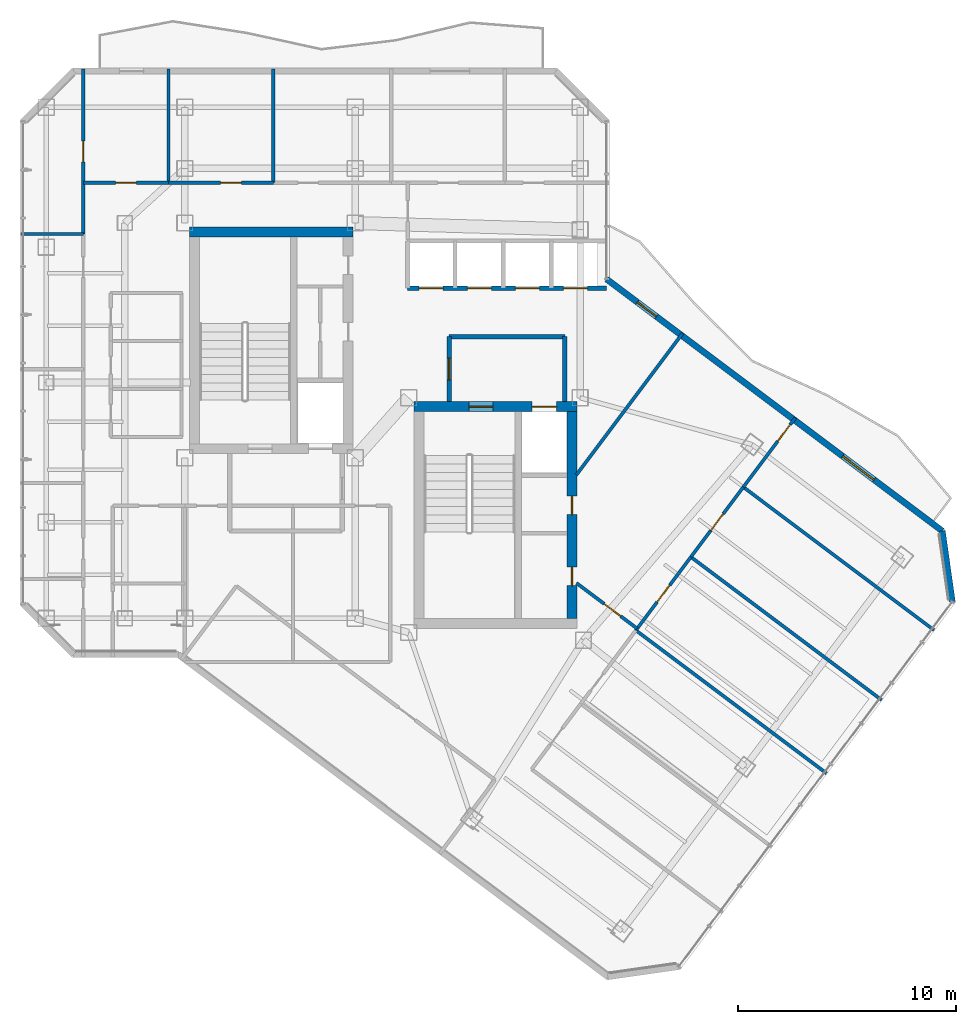
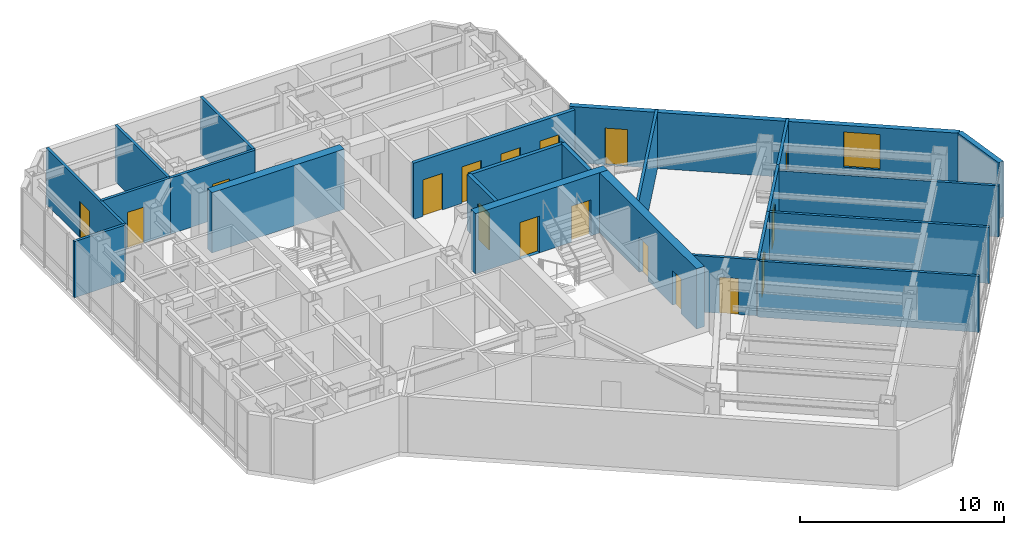
# One storey, part 21 of 26: 23 walls, 17 doors, 1 window, 18 openings.
"""IFC4 building model written with IfcOpenShell, lengths in metres."""

import ifcopenshell
import ifcopenshell.guid

model = None  # the IFC model being written
_history = None  # IfcOwnerHistory: only IFC2X3 demands one
_inside = {}  # id of a spatial element -> (the spatial element, [elements in it])
_under = {}  # id of a project, library or spatial element -> (it, [spatial elements below it])
_declared = {}  # id of a project -> (the project, [libraries it declares])
_typed = {}  # id of a type object -> (the type object, [elements of that type])
_made_of = {}  # id of a material, layer set ... -> (it, [elements and type objects made of it])


def new_model(schema):
    """Start an empty IFC model of exactly this schema.

    Asked for "IFC4X3", IfcOpenShell would pick the latest addendum, in which some entities
    have other attributes; the version numbers below select the first issue.
    IFC2X3 requires an IfcOwnerHistory on every rooted entity: one is made here for all.
    """
    global model, _history
    if schema == "IFC4X3":
        model = ifcopenshell.file(schema_version=(4, 3, 0, 0))
    else:
        model = ifcopenshell.file(schema=schema)
    _inside.clear()
    _under.clear()
    _declared.clear()
    _typed.clear()
    _made_of.clear()
    _history = None
    if model.schema == "IFC2X3":
        org = make("IfcOrganization", Name="unknown")
        user = make(
            "IfcPersonAndOrganization",
            ThePerson=make("IfcPerson", FamilyName="unknown"),
            TheOrganization=org,
        )
        app = make(
            "IfcApplication",
            ApplicationDeveloper=org,
            Version="unknown",
            ApplicationFullName="unknown",
            ApplicationIdentifier="unknown",
        )
        _history = make(
            "IfcOwnerHistory",
            OwningUser=user,
            OwningApplication=app,
            ChangeAction="ADDED",
            CreationDate=0,
        )
    return model


def make(cls, **values):
    """One entity of the class cls with the attributes given. An attribute that is None is left unset."""
    return model.create_entity(
        cls, **{name: value for name, value in values.items() if value is not None}
    )


def rooted(cls, **values):
    """An entity with a GlobalId (a new one), such as an element, a storey or a relation."""
    return make(cls, GlobalId=ifcopenshell.guid.new(), OwnerHistory=_history, **values)


def si_unit(unit_type, name, prefix=None):
    """IfcSIUnit, for example si_unit("LENGTHUNIT", "METRE", prefix="MILLI")."""
    return make("IfcSIUnit", UnitType=unit_type, Prefix=prefix, Name=name)


def assignment(units):
    """IfcUnitAssignment: the units of a project."""
    return None if units is None else make("IfcUnitAssignment", Units=units)


def point(xyz):
    """IfcCartesianPoint."""
    return None if xyz is None else make("IfcCartesianPoint", Coordinates=xyz)


def direction(xyz):
    """IfcDirection."""
    return None if xyz is None else make("IfcDirection", DirectionRatios=xyz)


def frame(location, z_axis=None, x_axis=None):
    """IfcAxis2Placement3D, a coordinate frame: its origin and axes. An axis left out is left unset."""
    return make(
        "IfcAxis2Placement3D",
        Location=point(location),
        Axis=direction(z_axis),
        RefDirection=direction(x_axis),
    )


def frame_2d(location, x_axis=None):
    """IfcAxis2Placement2D, a coordinate frame in the plane: its origin and x axis."""
    return make(
        "IfcAxis2Placement2D", Location=point(location), RefDirection=direction(x_axis)
    )


def origin():
    """The frame at (0, 0, 0) with its axes left unset."""
    return frame((0.0, 0.0, 0.0))


def place(relative_to, where):
    """IfcLocalPlacement: puts the frame where relative to a parent placement (None: the world)."""
    return make(
        "IfcLocalPlacement", PlacementRelTo=relative_to, RelativePlacement=where
    )


def context(
    kind, dimensions, precision=None, world=None, true_north=None, identifier=None
):
    """IfcGeometricRepresentationContext, for example the 3D "Model" context."""
    return make(
        "IfcGeometricRepresentationContext",
        ContextIdentifier=identifier,
        ContextType=kind,
        CoordinateSpaceDimension=dimensions,
        Precision=precision,
        WorldCoordinateSystem=world,
        TrueNorth=true_north,
    )


def subcontext(parent, identifier, kind, view, scale=None):
    """IfcGeometricRepresentationSubContext, for example "Body" below "Model"."""
    return make(
        "IfcGeometricRepresentationSubContext",
        ContextIdentifier=identifier,
        ContextType=kind,
        ParentContext=parent,
        TargetScale=scale,
        TargetView=view,
    )


def project(units=None, contexts=None):
    """IfcProject with its units and contexts."""
    return rooted(
        "IfcProject",
        Name="project",
        RepresentationContexts=contexts,
        UnitsInContext=assignment(units),
    )


def spatial(cls, under=None, at=None, **own):
    """A site, building, storey or space (cls), placed at a placement, below another one or the project."""
    s = rooted(cls, ObjectPlacement=at, **own)
    if under is not None:
        _under.setdefault(under.id(), (under, []))[1].append(s)
    return s


def profile(cls, at=None, kind="AREA", **sizes):
    """A parametric profile (cls). Its sizes go by their IFC names, for example OverallWidth=200.0."""
    return make(cls, ProfileType=kind, Position=at, **sizes)


def rectangle(**sizes):
    """IfcRectangleProfileDef."""
    return profile("IfcRectangleProfileDef", **sizes)


def extrude(swept, where, along, depth):
    """IfcExtrudedAreaSolid: the profile swept, set in the frame where, extruded along a direction by depth."""
    return make(
        "IfcExtrudedAreaSolid",
        SweptArea=swept,
        Position=where,
        ExtrudedDirection=direction(along),
        Depth=depth,
    )


def shape(context_of_items, identifier, shape_type, items):
    """IfcShapeRepresentation: the items that make up one representation, for example the "Body"."""
    return make(
        "IfcShapeRepresentation",
        ContextOfItems=context_of_items,
        RepresentationIdentifier=identifier,
        RepresentationType=shape_type,
        Items=items,
    )


def material(Name=None, Category=None):
    """IfcMaterial."""
    return make("IfcMaterial", Name=Name, Category=Category)


def layer(
    of_material, thickness, ventilated=None, Name=None, Category=None, Priority=None
):
    """IfcMaterialLayer: one layer of a wall or slab, of a material (None: an air gap)."""
    return make(
        "IfcMaterialLayer",
        Material=of_material,
        LayerThickness=thickness,
        IsVentilated=ventilated,
        Name=Name,
        Category=Category,
        Priority=Priority,
    )


def layer_set(layers, Name=None):
    """IfcMaterialLayerSet."""
    return make("IfcMaterialLayerSet", MaterialLayers=layers, LayerSetName=Name)


def made_of(thing, what):
    """Note that an element or type object is made of a material, layer set ...; save() writes the relation."""
    if what is not None:
        _made_of.setdefault(what.id(), (what, []))[1].append(thing)
    return thing


def type_object(cls, material=None, **own):
    """A type object (cls), such as IfcWallType, which elements share."""
    return made_of(rooted(cls, **own), material)


def element(
    cls,
    number,
    at=None,
    inside=None,
    cuts=None,
    type_object=None,
    material=None,
    context=None,
    identifier="Body",
    shape_type=None,
    held_by="IfcProductDefinitionShape",
    body=None,
    shapes=None,
    **own,
):
    """One element of the class cls, such as IfcWall. Its Tag is "e" and its number.

    at: its placement. inside: the storey or other place that contains it. cuts: it is an
    opening in that element (IfcRelVoidsElement). A single representation is given by context,
    identifier, shape_type and body (its items); several are given by shapes. held_by: the class
    of the entity that holds the representations. save() writes the other relations.
    """
    e = rooted(cls, Tag="e%d" % number, ObjectPlacement=at, **own)
    if body is not None:
        shapes = [shape(context, identifier, shape_type, body)]
    if shapes is not None:
        e.Representation = make(held_by, Representations=shapes)
    if inside is not None:
        _inside.setdefault(inside.id(), (inside, []))[1].append(e)
    if cuts is not None:
        rooted(
            "IfcRelVoidsElement", RelatingBuildingElement=cuts, RelatedOpeningElement=e
        )
    if type_object is not None:
        _typed.setdefault(type_object.id(), (type_object, []))[1].append(e)
    return made_of(e, material)


def fill(opening, filler):
    """IfcRelFillsElement: the door or window that sits in an opening."""
    return rooted(
        "IfcRelFillsElement",
        RelatingOpeningElement=opening,
        RelatedBuildingElement=filler,
    )


def aggregate(whole, parts):
    """IfcRelAggregates: a whole, such as a stair, and the parts it consists of."""
    return rooted("IfcRelAggregates", RelatingObject=whole, RelatedObjects=parts)


def save(model, path):
    """Write the relations noted so far, then the file.

    IfcRelAggregates (storeys below a building ...), IfcRelContainedInSpatialStructure (elements
    in a storey), IfcRelDefinesByType, IfcRelAssociatesMaterial and IfcRelDeclares: one each for
    every whole, place, type object, material and project.
    """
    for whole, parts in _under.values():
        aggregate(whole, parts)
    for where, things in _inside.values():
        rooted(
            "IfcRelContainedInSpatialStructure",
            RelatedElements=things,
            RelatingStructure=where,
        )
    for kind, things in _typed.values():
        rooted("IfcRelDefinesByType", RelatedObjects=things, RelatingType=kind)
    for what, things in _made_of.values():
        rooted("IfcRelAssociatesMaterial", RelatedObjects=things, RelatingMaterial=what)
    for by, libraries in _declared.values():
        rooted("IfcRelDeclares", RelatingContext=by, RelatedDefinitions=libraries)
    model.write(path)


model = new_model("IFC4")

# Units and contexts
model_context = context("Model", 3, precision=1e-05, world=origin(), true_north=direction((0.0, 1.0)))
body_context = subcontext(model_context, "Body", "Model", "MODEL_VIEW")
ifc_project = project(units=[si_unit("LENGTHUNIT", "METRE"), si_unit("AREAUNIT", "SQUARE_METRE"), si_unit("VOLUMEUNIT", "CUBIC_METRE"), si_unit("PLANEANGLEUNIT", "RADIAN"), si_unit("MASSUNIT", "GRAM", prefix="KILO")], contexts=[model_context])

# Site, building, storey
site_placement = place(None, origin())
site = spatial("IfcSite", under=ifc_project, at=site_placement, CompositionType="ELEMENT")
building_placement = place(site_placement, origin())
building = spatial("IfcBuilding", under=site, at=building_placement, Name="Hatsunagi Terrace Concourse", CompositionType="ELEMENT")
storey_placement = place(building_placement, frame((0.0, 0.0, 209.550048828125)))
storey = spatial("IfcBuildingStorey", under=building, at=storey_placement, Name="L55", CompositionType="ELEMENT", Elevation=209.550048828125)

# Wall
ifc_material_1 = material(Name="Concrete Fc42", Category="concrete")
ifc_layer_1 = layer(ifc_material_1, 0.449951171875)
ifc_layer_set_1 = layer_set([ifc_layer_1], Name="CoreShearWall_Fc42_450")
wall_type_1 = type_object("IfcWallType", Name="CoreShearWall_Fc42_450", PredefinedType="SHEAR", material=ifc_layer_set_1)
wall_1_placement = place(storey_placement, frame((25.77001953125, 42.89501953125, 0.0), z_axis=(0.0, 0.0, 1.0), x_axis=(1.0, 0.0, 0.0)))
element("IfcWall", 1, at=wall_1_placement, inside=storey, type_object=wall_type_1, Name="Core A Shear Wall N L55", PredefinedType="SHEAR", context=body_context, shape_type="SweptSolid", body=[
    extrude(rectangle(XDim=7.47998046875, YDim=0.449951171875, at=frame_2d((3.739990234375, 0.0))), origin(), (0.0, 0.0, 1.0), 3.599853515625),
])

# Wall, openings, doors
wall_2_placement = place(storey_placement, frame((36.0400390625, 34.89501953125, 0.0), z_axis=(0.0, 0.0, 1.0), x_axis=(1.0, 0.0, 0.0)))
wall_2 = element("IfcWall", 2, at=wall_2_placement, inside=storey, type_object=wall_type_1, Name="Core B Shear Wall N L55", PredefinedType="SHEAR", context=body_context, shape_type="SweptSolid", body=[
    extrude(rectangle(XDim=7.4599609375, YDim=0.449951171875, at=frame_2d((3.72998046875, 0.0))), origin(), (0.0, 0.0, 1.0), 3.599853515625),
])
opening_1_placement = place(wall_2_placement, frame((2.510009765625, 0.0, 0.0)))
opening_1 = element("IfcOpeningElement", 3, at=opening_1_placement, cuts=wall_2, Name="Opening DR-110S", PredefinedType="OPENING", context=body_context, shape_type="SweptSolid", body=[
    extrude(rectangle(XDim=1.10009765625, YDim=2.199951171875, at=frame_2d((0.550048828125, 1.10009765625))), frame((0.0, 0.23486328125, 0.0), z_axis=(0.0, -1.0, 0.0), x_axis=(1.0, 0.0, 0.0)), (0.0, 0.0, 1.0), 0.469970703125),
])
opening_2_placement = place(wall_2_placement, frame((5.409912109375, 0.0, 0.0)))
opening_2 = element("IfcOpeningElement", 4, at=opening_2_placement, cuts=wall_2, Name="Opening LD-02", PredefinedType="OPENING", context=body_context, shape_type="SweptSolid", body=[
    extrude(rectangle(XDim=1.1201171875, YDim=2.14990234375, at=frame_2d((0.56005859375, 1.074951171875))), frame((0.0, 0.23486328125, 0.0), z_axis=(0.0, -1.0, 0.0), x_axis=(1.0, 0.0, 0.0)), (0.0, 0.0, 1.0), 0.469970703125),
])
ifc_material_2 = material(Name="Stainless steel", Category="steel")
door_type_1 = type_object("IfcDoorType", Name="LiftLandingDoor_LD02", OperationType="SLIDING_TO_RIGHT", PredefinedType="USERDEFINED", material=ifc_material_2)
door_1_placement = place(opening_2_placement, origin())
door_1 = element("IfcDoor", 5, at=door_1_placement, inside=storey, type_object=door_type_1, Name="Lift landing door FF-02 L55", ObjectType="SLIDING_LANDING_DOOR", OperationType="SLIDING_TO_RIGHT", OverallHeight=2.14990234375, OverallWidth=1.1201171875, PredefinedType="USERDEFINED", context=body_context, shape_type="SweptSolid", body=[
    extrude(rectangle(XDim=1.1201171875, YDim=2.14990234375, at=frame_2d((0.56005859375, 1.074951171875))), frame((0.0, 0.02490234375, 0.0), z_axis=(0.0, -1.0, 0.0), x_axis=(1.0, 0.0, 0.0)), (0.0, 0.0, 1.0), 0.050048828125),
])
fill(opening_2, door_1)
ifc_material_3 = material(Name="Painted steel", Category="steel")
door_type_2 = type_object("IfcDoorType", Name="StairFireDoor_EI60_1100", OperationType="NOTDEFINED", PredefinedType="DOOR", material=ifc_material_3)
door_2_placement = place(opening_1_placement, origin())
door_2 = element("IfcDoor", 6, at=door_2_placement, inside=storey, type_object=door_type_2, Name="Stair ST-B Exit Door L55", OperationType="SINGLE_SWING_RIGHT", OverallHeight=2.199951171875, OverallWidth=1.10009765625, PredefinedType="DOOR", context=body_context, shape_type="SweptSolid", body=[
    extrude(rectangle(XDim=1.10009765625, YDim=2.199951171875, at=frame_2d((0.550048828125, 1.10009765625))), frame((0.0, 0.02490234375, 0.0), z_axis=(0.0, -1.0, 0.0), x_axis=(1.0, 0.0, 0.0)), (0.0, 0.0, 1.0), 0.050048828125),
])
fill(opening_1, door_2)

wall_3_placement = place(storey_placement, frame((43.27490234375, 25.18994140625, 0.0), z_axis=(0.0, 0.0, 1.0), x_axis=(0.0, 1.0, 0.0)))
wall_3 = element("IfcWall", 7, at=wall_3_placement, inside=storey, type_object=wall_type_1, Name="Core B Shear Wall E L55", PredefinedType="SHEAR", context=body_context, shape_type="SweptSolid", body=[
    extrude(rectangle(XDim=9.47998046875, YDim=0.449951171875, at=frame_2d((4.739990234375, 0.0))), origin(), (0.0, 0.0, 1.0), 3.599853515625),
])
opening_3_placement = place(wall_3_placement, frame((1.510009765625, 0.0, 0.0)))
opening_3 = element("IfcOpeningElement", 8, at=opening_3_placement, cuts=wall_3, Name="Opening DR-085", PredefinedType="OPENING", context=body_context, shape_type="SweptSolid", body=[
    extrude(rectangle(XDim=0.85009765625, YDim=2.080078125, at=frame_2d((0.425048828125, 1.0400390625))), frame((0.0, 0.23486328125, 0.0), z_axis=(0.0, -1.0, 0.0), x_axis=(1.0, 0.0, 0.0)), (0.0, 0.0, 1.0), 0.469970703125),
])
opening_4_placement = place(wall_3_placement, frame((4.760009765625, 0.0, 0.0)))
opening_4 = element("IfcOpeningElement", 9, at=opening_4_placement, cuts=wall_3, Name="Opening DR-085", PredefinedType="OPENING", context=body_context, shape_type="SweptSolid", body=[
    extrude(rectangle(XDim=0.85009765625, YDim=2.080078125, at=frame_2d((0.425048828125, 1.0400390625))), frame((0.0, 0.23486328125, 0.0), z_axis=(0.0, -1.0, 0.0), x_axis=(1.0, 0.0, 0.0)), (0.0, 0.0, 1.0), 0.469970703125),
])
ifc_material_4 = material(Name="Painted steel", Category="steel")
door_type_3 = type_object("IfcDoorType", Name="RiserAccessDoor_EI60_850", OperationType="NOTDEFINED", PredefinedType="DOOR", material=ifc_material_4)
door_3_placement = place(opening_3_placement, origin())
door_3 = element("IfcDoor", 10, at=door_3_placement, inside=storey, type_object=door_type_3, Name="Core B Riser Door L55-1", OperationType="SINGLE_SWING_RIGHT", OverallHeight=2.080078125, OverallWidth=0.85009765625, PredefinedType="DOOR", context=body_context, shape_type="SweptSolid", body=[
    extrude(rectangle(XDim=0.85009765625, YDim=2.080078125, at=frame_2d((0.425048828125, 1.0400390625))), frame((0.0, 0.02490234375, 0.0), z_axis=(0.0, -1.0, 0.0), x_axis=(1.0, 0.0, 0.0)), (0.0, 0.0, 1.0), 0.050048828125),
])
fill(opening_3, door_3)
door_4_placement = place(opening_4_placement, origin())
door_4 = element("IfcDoor", 11, at=door_4_placement, inside=storey, type_object=door_type_3, Name="Core B Riser Door L55-2", OperationType="SINGLE_SWING_RIGHT", OverallHeight=2.080078125, OverallWidth=0.85009765625, PredefinedType="DOOR", context=body_context, shape_type="SweptSolid", body=[
    extrude(rectangle(XDim=0.85009765625, YDim=2.080078125, at=frame_2d((0.425048828125, 1.0400390625))), frame((0.0, 0.02490234375, 0.0), z_axis=(0.0, -1.0, 0.0), x_axis=(1.0, 0.0, 0.0)), (0.0, 0.0, 1.0), 0.050048828125),
])
fill(opening_4, door_4)

# Wall
ifc_material_5 = material(Name="Acoustic mineral board", Category="gypsum")
ifc_layer_2 = layer(ifc_material_5, 0.14990234375)
ifc_layer_set_2 = layer_set([ifc_layer_2], Name="PartitionWall_EI60_150")
wall_type_2 = type_object("IfcWallType", Name="PartitionWall_EI60_150", PredefinedType="PARTITIONING", material=ifc_layer_set_2)
wall_4_placement = place(storey_placement, frame((18.0400390625, 42.800048828125, 0.0), z_axis=(0.0, 0.0, 1.0), x_axis=(1.0, 0.0, 0.0)))
element("IfcWall", 12, at=wall_4_placement, inside=storey, type_object=wall_type_2, Name="Interior Partition IW-L55-039", PredefinedType="PARTITIONING", context=body_context, shape_type="SweptSolid", body=[
    extrude(rectangle(XDim=2.85986328125, YDim=0.14990234375, at=frame_2d((1.429931640625, 0.0))), origin(), (0.0, 0.0, 1.0), 3.349853515625),
])

# Wall, opening, door
wall_5_placement = place(storey_placement, frame((20.89990234375, 42.800048828125, 0.0), z_axis=(0.0, 0.0, 1.0), x_axis=(0.0, 1.0, 0.0)))
wall_5 = element("IfcWall", 13, at=wall_5_placement, inside=storey, type_object=wall_type_2, Name="Interior Partition IW-L55-041", PredefinedType="PARTITIONING", context=body_context, shape_type="SweptSolid", body=[
    extrude(rectangle(XDim=7.56005859375, YDim=0.14990234375, at=frame_2d((3.780029296875, 0.0))), origin(), (0.0, 0.0, 1.0), 3.349853515625),
])
opening_5_placement = place(wall_5_placement, frame((3.304931640625, 0.0, 0.0)))
opening_5 = element("IfcOpeningElement", 14, at=opening_5_placement, cuts=wall_5, Name="Opening DR-095", PredefinedType="OPENING", context=body_context, shape_type="SweptSolid", body=[
    extrude(rectangle(XDim=0.949951171875, YDim=2.14990234375, at=frame_2d((0.47509765625, 1.074951171875))), frame((0.0, 0.0849609375, 0.0), z_axis=(0.0, -1.0, 0.0), x_axis=(1.0, 0.0, 0.0)), (0.0, 0.0, 1.0), 0.169921875),
])
ifc_material_6 = material(Name="Hardwood timber", Category="wood")
door_type_4 = type_object("IfcDoorType", Name="InteriorSuiteDoor_EI30_950", OperationType="NOTDEFINED", PredefinedType="DOOR", material=ifc_material_6)
door_5_placement = place(opening_5_placement, origin())
door_5 = element("IfcDoor", 15, at=door_5_placement, inside=storey, type_object=door_type_4, Name="Boardroom L55-OW5 Door", OperationType="SINGLE_SWING_RIGHT", OverallHeight=2.14990234375, OverallWidth=0.949951171875, PredefinedType="DOOR", context=body_context, shape_type="SweptSolid", body=[
    extrude(rectangle(XDim=0.949951171875, YDim=2.14990234375, at=frame_2d((0.47509765625, 1.074951171875))), frame((0.0, 0.02490234375, 0.0), z_axis=(0.0, -1.0, 0.0), x_axis=(1.0, 0.0, 0.0)), (0.0, 0.0, 1.0), 0.050048828125),
])
fill(opening_5, door_5)

wall_6_placement = place(storey_placement, frame((20.89990234375, 45.14990234375, 0.0), z_axis=(0.0, 0.0, 1.0), x_axis=(1.0, 0.0, 0.0)))
wall_6 = element("IfcWall", 16, at=wall_6_placement, inside=storey, type_object=wall_type_2, Name="Interior Partition IW-L55-042", PredefinedType="PARTITIONING", context=body_context, shape_type="SweptSolid", body=[
    extrude(rectangle(XDim=3.900146484375, YDim=0.14990234375, at=frame_2d((1.9501953125, 0.0))), origin(), (0.0, 0.0, 1.0), 3.349853515625),
])
opening_6_placement = place(wall_6_placement, frame((1.47509765625, 0.0, 0.0)))
opening_6 = element("IfcOpeningElement", 17, at=opening_6_placement, cuts=wall_6, Name="Opening DR-095", PredefinedType="OPENING", context=body_context, shape_type="SweptSolid", body=[
    extrude(rectangle(XDim=0.949951171875, YDim=2.14990234375, at=frame_2d((0.47509765625, 1.074951171875))), frame((0.0, 0.0849609375, 0.0), z_axis=(0.0, -1.0, 0.0), x_axis=(1.0, 0.0, 0.0)), (0.0, 0.0, 1.0), 0.169921875),
])
door_6_placement = place(opening_6_placement, origin())
door_6 = element("IfcDoor", 18, at=door_6_placement, inside=storey, type_object=door_type_4, Name="Executive Briefing Room L55-ON1 Door", OperationType="SINGLE_SWING_LEFT", OverallHeight=2.14990234375, OverallWidth=0.949951171875, PredefinedType="DOOR", context=body_context, shape_type="SweptSolid", body=[
    extrude(rectangle(XDim=0.949951171875, YDim=2.14990234375, at=frame_2d((0.47509765625, 1.074951171875))), frame((0.0, 0.02490234375, 0.0), z_axis=(0.0, -1.0, 0.0), x_axis=(1.0, 0.0, 0.0)), (0.0, 0.0, 1.0), 0.050048828125),
])
fill(opening_6, door_6)

# Wall
wall_7_placement = place(storey_placement, frame((24.800048828125, 45.14990234375, 0.0), z_axis=(0.0, 0.0, 1.0), x_axis=(0.0, 1.0, 0.0)))
element("IfcWall", 19, at=wall_7_placement, inside=storey, type_object=wall_type_2, Name="Interior Partition IW-L55-043", PredefinedType="PARTITIONING", context=body_context, shape_type="SweptSolid", body=[
    extrude(rectangle(XDim=5.210205078125, YDim=0.14990234375, at=frame_2d((2.60498046875, 0.0))), origin(), (0.0, 0.0, 1.0), 3.349853515625),
])

# Wall, opening, door
wall_8_placement = place(storey_placement, frame((24.800048828125, 45.14990234375, 0.0), z_axis=(0.0, 0.0, 1.0), x_axis=(1.0, 0.0, 0.0)))
wall_8 = element("IfcWall", 20, at=wall_8_placement, inside=storey, type_object=wall_type_2, Name="Interior Partition IW-L55-044", PredefinedType="PARTITIONING", context=body_context, shape_type="SweptSolid", body=[
    extrude(rectangle(XDim=4.800048828125, YDim=0.14990234375, at=frame_2d((2.39990234375, 0.0))), origin(), (0.0, 0.0, 1.0), 3.349853515625),
])
opening_7_placement = place(wall_8_placement, frame((2.388916015625, 0.0, 0.0)))
opening_7 = element("IfcOpeningElement", 21, at=opening_7_placement, cuts=wall_8, Name="Opening DR-095", PredefinedType="OPENING", context=body_context, shape_type="SweptSolid", body=[
    extrude(rectangle(XDim=0.949951171875, YDim=2.14990234375, at=frame_2d((0.47509765625, 1.074951171875))), frame((0.0, 0.0849609375, 0.0), z_axis=(0.0, -1.0, 0.0), x_axis=(1.0, 0.0, 0.0)), (0.0, 0.0, 1.0), 0.169921875),
])
door_7_placement = place(opening_7_placement, origin())
door_7 = element("IfcDoor", 22, at=door_7_placement, inside=storey, type_object=door_type_4, Name="Breakout Pantry L55-ON2 Door", OperationType="SINGLE_SWING_RIGHT", OverallHeight=2.14990234375, OverallWidth=0.949951171875, PredefinedType="DOOR", context=body_context, shape_type="SweptSolid", body=[
    extrude(rectangle(XDim=0.949951171875, YDim=2.14990234375, at=frame_2d((0.47509765625, 1.074951171875))), frame((0.0, 0.02490234375, 0.0), z_axis=(0.0, -1.0, 0.0), x_axis=(1.0, 0.0, 0.0)), (0.0, 0.0, 1.0), 0.050048828125),
])
fill(opening_7, door_7)

# Walls
wall_9_placement = place(storey_placement, frame((29.60009765625, 45.14990234375, 0.0), z_axis=(0.0, 0.0, 1.0), x_axis=(0.0, 1.0, 0.0)))
element("IfcWall", 23, at=wall_9_placement, inside=storey, type_object=wall_type_2, Name="Interior Partition IW-L55-045", PredefinedType="PARTITIONING", context=body_context, shape_type="SweptSolid", body=[
    extrude(rectangle(XDim=5.210205078125, YDim=0.14990234375, at=frame_2d((2.60498046875, 0.0))), origin(), (0.0, 0.0, 1.0), 3.349853515625),
])
for number, where, z_axis, x_axis, name in (
    (24, (46.199951171875, 24.64990234375, 0.0), (0.0, 0.0, 1.0), (0.800005370633, -0.599992839089, 0.0), "Interior Partition IW-L55-054"),
    (25, (48.719970703125, 28.010009765625, 0.0), (0.0, 0.0, 1.0), (0.800005370633, -0.599992839089, 0.0), "Interior Partition IW-L55-056"),
):
    element("IfcWall", number, at=place(storey_placement, frame(where, z_axis=z_axis, x_axis=x_axis)), inside=storey, type_object=wall_type_2, Name=name, PredefinedType="PARTITIONING", context=body_context, shape_type="SweptSolid", body=[
        extrude(rectangle(XDim=10.909912109375, YDim=0.14990234375, at=frame_2d((5.455078125, 0.0))), origin(), (0.0, 0.0, 1.0), 3.349853515625),
    ])

# Wall, opening, door
wall_10_placement = place(storey_placement, frame((46.199951171875, 24.64990234375, 0.0), z_axis=(0.0, 0.0, 1.0), x_axis=(0.59999069958, 0.80000697523, 0.0)))
wall_10 = element("IfcWall", 26, at=wall_10_placement, inside=storey, type_object=wall_type_2, Name="Interior Partition IW-L55-057", PredefinedType="PARTITIONING", context=body_context, shape_type="SweptSolid", body=[
    extrude(rectangle(XDim=4.2001953125, YDim=0.14990234375, at=frame_2d((2.10009765625, 0.0))), origin(), (0.0, 0.0, 1.0), 3.349853515625),
])
opening_8_placement = place(wall_10_placement, frame((1.625, 0.0, 0.0)))
opening_8 = element("IfcOpeningElement", 27, at=opening_8_placement, cuts=wall_10, Name="Opening DR-095", PredefinedType="OPENING", context=body_context, shape_type="SweptSolid", body=[
    extrude(rectangle(XDim=0.949951171875, YDim=2.14990234375, at=frame_2d((0.47509765625, 1.074951171875))), frame((0.0, 0.0849609375, 0.0), z_axis=(0.0, -1.0, 0.0), x_axis=(1.0, 0.0, 0.0)), (0.0, 0.0, 1.0), 0.169921875),
])
door_8_placement = place(opening_8_placement, origin())
door_8 = element("IfcDoor", 28, at=door_8_placement, inside=storey, type_object=door_type_4, Name="Focus Room L55-OSE3 Door", OperationType="SINGLE_SWING_RIGHT", OverallHeight=2.14990234375, OverallWidth=0.949951171875, PredefinedType="DOOR", context=body_context, shape_type="SweptSolid", body=[
    extrude(rectangle(XDim=0.949951171875, YDim=2.14990234375, at=frame_2d((0.47509765625, 1.074951171875))), frame((0.0, 0.02490234375, 0.0), z_axis=(0.0, -1.0, 0.0), x_axis=(1.0, 0.0, 0.0)), (0.0, 0.0, 1.0), 0.050048828125),
])
fill(opening_8, door_8)

# Wall
wall_11_placement = place(storey_placement, frame((51.1201171875, 31.2099609375, 0.0), z_axis=(0.0, 0.0, 1.0), x_axis=(0.799997314611, -0.600003580502, 0.0)))
element("IfcWall", 29, at=wall_11_placement, inside=storey, type_object=wall_type_2, Name="Interior Partition IW-L55-058", PredefinedType="PARTITIONING", context=body_context, shape_type="SweptSolid", body=[
    extrude(rectangle(XDim=10.90966796875, YDim=0.14990234375, at=frame_2d((5.454833984375, 0.0))), origin(), (0.0, 0.0, 1.0), 3.044921875),
])

# Wall, opening, door
wall_12_placement = place(storey_placement, frame((48.719970703125, 28.010009765625, 0.0), z_axis=(0.0, 0.0, 1.0), x_axis=(0.600029296115, 0.799978027076, 0.0)))
wall_12 = element("IfcWall", 30, at=wall_12_placement, inside=storey, type_object=wall_type_2, Name="Interior Partition IW-L55-059", PredefinedType="PARTITIONING", context=body_context, shape_type="SweptSolid", body=[
    extrude(rectangle(XDim=4.0, YDim=0.14990234375, at=frame_2d((2.0, 0.0))), origin(), (0.0, 0.0, 1.0), 3.349853515625),
])
opening_9_placement = place(wall_12_placement, frame((1.52490234375, 0.0, 0.0)))
opening_9 = element("IfcOpeningElement", 31, at=opening_9_placement, cuts=wall_12, Name="Opening DR-095", PredefinedType="OPENING", context=body_context, shape_type="SweptSolid", body=[
    extrude(rectangle(XDim=0.949951171875, YDim=2.14990234375, at=frame_2d((0.47509765625, 1.074951171875))), frame((0.0, 0.0849609375, 0.0), z_axis=(0.0, -1.0, 0.0), x_axis=(1.0, 0.0, 0.0)), (0.0, 0.0, 1.0), 0.169921875),
])
door_9_placement = place(opening_9_placement, origin())
door_9 = element("IfcDoor", 32, at=door_9_placement, inside=storey, type_object=door_type_4, Name="Executive Office L55-OSE4 Door", OperationType="SINGLE_SWING_RIGHT", OverallHeight=2.14990234375, OverallWidth=0.949951171875, PredefinedType="DOOR", context=body_context, shape_type="SweptSolid", body=[
    extrude(rectangle(XDim=0.949951171875, YDim=2.14990234375, at=frame_2d((0.47509765625, 1.074951171875))), frame((0.0, 0.02490234375, 0.0), z_axis=(0.0, -1.0, 0.0), x_axis=(1.0, 0.0, 0.0)), (0.0, 0.0, 1.0), 0.050048828125),
])
fill(opening_9, door_9)

wall_13_placement = place(storey_placement, frame((51.1201171875, 31.2099609375, 0.0), z_axis=(0.0, 0.0, 1.0), x_axis=(0.6, 0.8, 0.0)))
wall_13 = element("IfcWall", 33, at=wall_13_placement, inside=storey, type_object=wall_type_2, Name="Interior Partition IW-L55-060", PredefinedType="PARTITIONING", context=body_context, shape_type="SweptSolid", body=[
    extrude(rectangle(XDim=3.9599609375, YDim=0.14990234375, at=frame_2d((1.97998046875, 0.0))), origin(), (0.0, 0.0, 1.0), 3.349853515625),
])
opening_10_placement = place(wall_13_placement, frame((2.6298828125, 0.0, 0.0)))
opening_10 = element("IfcOpeningElement", 34, at=opening_10_placement, cuts=wall_13, Name="Opening DR-095", PredefinedType="OPENING", context=body_context, shape_type="SweptSolid", body=[
    extrude(rectangle(XDim=0.949951171875, YDim=2.14990234375, at=frame_2d((0.47509765625, 1.074951171875))), frame((0.0, 0.0849609375, 0.0), z_axis=(0.0, -1.0, 0.0), x_axis=(1.0, 0.0, 0.0)), (0.0, 0.0, 1.0), 0.169921875),
])
door_10_placement = place(opening_10_placement, origin())
door_10 = element("IfcDoor", 35, at=door_10_placement, inside=storey, type_object=door_type_4, Name="Focus Room L55-OSE5 Door", OperationType="SINGLE_SWING_RIGHT", OverallHeight=2.14990234375, OverallWidth=0.949951171875, PredefinedType="DOOR", context=body_context, shape_type="SweptSolid", body=[
    extrude(rectangle(XDim=0.949951171875, YDim=2.14990234375, at=frame_2d((0.47509765625, 1.074951171875))), frame((0.0, 0.02490234375, 0.0), z_axis=(0.0, -1.0, 0.0), x_axis=(1.0, 0.0, 0.0)), (0.0, 0.0, 1.0), 0.050048828125),
])
fill(opening_10, door_10)

wall_14_placement = place(storey_placement, frame((43.47998046875, 26.81494140625, 0.0), z_axis=(0.0, 0.0, 1.0), x_axis=(0.800008430676, -0.599988758934, 0.0)))
wall_14 = element("IfcWall", 36, at=wall_14_placement, inside=storey, type_object=wall_type_2, Name="Interior Partition IW-L55-061", PredefinedType="PARTITIONING", context=body_context, shape_type="SweptSolid", body=[
    extrude(rectangle(XDim=3.47509765625, YDim=0.14990234375, at=frame_2d((1.737548828125, 0.0))), origin(), (0.0, 0.0, 1.0), 3.349853515625),
])
opening_11_placement = place(wall_14_placement, frame((1.580078125, 0.0, 0.0)))
opening_11 = element("IfcOpeningElement", 37, at=opening_11_placement, cuts=wall_14, Name="Opening DR-095", PredefinedType="OPENING", context=body_context, shape_type="SweptSolid", body=[
    extrude(rectangle(XDim=0.949951171875, YDim=2.14990234375, at=frame_2d((0.47509765625, 1.074951171875))), frame((0.0, 0.0849609375, 0.0), z_axis=(0.0, -1.0, 0.0), x_axis=(1.0, 0.0, 0.0)), (0.0, 0.0, 1.0), 0.169921875),
])
door_11_placement = place(opening_11_placement, origin())
door_11 = element("IfcDoor", 38, at=door_11_placement, inside=storey, type_object=door_type_4, Name="Collaboration Lounge L55-OSEN1 Door", OperationType="SINGLE_SWING_LEFT", OverallHeight=2.14990234375, OverallWidth=0.949951171875, PredefinedType="DOOR", context=body_context, shape_type="SweptSolid", body=[
    extrude(rectangle(XDim=0.949951171875, YDim=2.14990234375, at=frame_2d((0.47509765625, 1.074951171875))), frame((0.0, 0.02490234375, 0.0), z_axis=(0.0, -1.0, 0.0), x_axis=(1.0, 0.0, 0.0)), (0.0, 0.0, 1.0), 0.050048828125),
])
fill(opening_11, door_11)

# Walls
wall_15_placement = place(storey_placement, frame((43.47998046875, 31.77294921875, 0.0), z_axis=(0.0, 0.0, 1.0), x_axis=(0.599971041729, 0.800021717885, 0.0)))
element("IfcWall", 39, at=wall_15_placement, inside=storey, type_object=wall_type_2, Name="Interior Partition IW-L55-062", PredefinedType="PARTITIONING", context=body_context, shape_type="SweptSolid", body=[
    extrude(rectangle(XDim=8.09375, YDim=0.14990234375, at=frame_2d((4.046875, 0.0))), origin(), (0.0, 0.0, 1.0), 3.349853515625),
])
ifc_material_7 = material(Name="Acoustic mineral board", Category="gypsum")
ifc_layer_3 = layer(ifc_material_7, 0.199951171875)
ifc_layer_set_3 = layer_set([ifc_layer_3], Name="ShaftWall_EI120_200")
wall_type_3 = type_object("IfcWallType", Name="ShaftWall_EI120_200", PredefinedType="STANDARD", material=ifc_layer_set_3)
wall_16_placement = place(storey_placement, frame((37.64990234375, 38.10009765625, 0.0), z_axis=(0.0, 0.0, 1.0), x_axis=(1.0, 0.0, 0.0)))
element("IfcWall", 40, at=wall_16_placement, inside=storey, type_object=wall_type_3, Name="Interior Partition IW-L55-009", PredefinedType="STANDARD", context=body_context, shape_type="SweptSolid", body=[
    extrude(rectangle(XDim=5.300048828125, YDim=0.199951171875, at=frame_2d((2.64990234375, 0.0))), origin(), (0.0, 0.0, 1.0), 3.349853515625),
])
wall_17_placement = place(storey_placement, frame((42.949951171875, 35.1201171875, 0.0), z_axis=(0.0, 0.0, 1.0), x_axis=(0.0, 1.0, 0.0)))
element("IfcWall", 41, at=wall_17_placement, inside=storey, type_object=wall_type_3, Name="Interior Partition IW-L55-010", PredefinedType="STANDARD", context=body_context, shape_type="SweptSolid", body=[
    extrude(rectangle(XDim=2.97998046875, YDim=0.199951171875, at=frame_2d((1.489990234375, 0.0))), origin(), (0.0, 0.0, 1.0), 3.349853515625),
])

# Wall, opening, door
wall_18_placement = place(storey_placement, frame((37.64990234375, 35.1201171875, 0.0), z_axis=(0.0, 0.0, 1.0), x_axis=(0.0, 1.0, 0.0)))
wall_18 = element("IfcWall", 42, at=wall_18_placement, inside=storey, type_object=wall_type_3, Name="Interior Partition IW-L55-011", PredefinedType="STANDARD", context=body_context, shape_type="SweptSolid", body=[
    extrude(rectangle(XDim=2.97998046875, YDim=0.199951171875, at=frame_2d((1.489990234375, 0.0))), origin(), (0.0, 0.0, 1.0), 3.349853515625),
])
opening_12_placement = place(wall_18_placement, frame((0.989990234375, 0.0, 0.0)))
opening_12 = element("IfcOpeningElement", 43, at=opening_12_placement, cuts=wall_18, Name="Opening DR-100F", PredefinedType="OPENING", context=body_context, shape_type="SweptSolid", body=[
    extrude(rectangle(XDim=1.0, YDim=2.199951171875, at=frame_2d((0.5, 1.10009765625))), frame((0.0, 0.10986328125, 0.0), z_axis=(0.0, -1.0, 0.0), x_axis=(1.0, 0.0, 0.0)), (0.0, 0.0, 1.0), 0.219970703125),
])
ifc_material_8 = material(Name="Painted steel", Category="steel")
door_type_5 = type_object("IfcDoorType", Name="FireDoor_EI60_1000", OperationType="NOTDEFINED", PredefinedType="DOOR", material=ifc_material_8)
door_12_placement = place(opening_12_placement, origin())
door_12 = element("IfcDoor", 44, at=door_12_placement, inside=storey, type_object=door_type_5, Name="Firefighting Lobby B Door L55", OperationType="SINGLE_SWING_RIGHT", OverallHeight=2.199951171875, OverallWidth=1.0, PredefinedType="DOOR", context=body_context, shape_type="SweptSolid", body=[
    extrude(rectangle(XDim=1.0, YDim=2.199951171875, at=frame_2d((0.5, 1.10009765625))), frame((0.0, 0.02490234375, 0.0), z_axis=(0.0, -1.0, 0.0), x_axis=(1.0, 0.0, 0.0)), (0.0, 0.0, 1.0), 0.050048828125),
])
fill(opening_12, door_12)

# Wall, openings, doors
wall_19_placement = place(storey_placement, frame((35.75, 40.320068359375, 0.0), z_axis=(0.0, 0.0, 1.0), x_axis=(1.0, 0.0, 0.0)))
wall_19 = element("IfcWall", 45, at=wall_19_placement, inside=storey, type_object=wall_type_3, Name="Interior Partition IW-L55-017", PredefinedType="STANDARD", context=body_context, shape_type="SweptSolid", body=[
    extrude(rectangle(XDim=9.110107421875, YDim=0.199951171875, at=frame_2d((4.55517578125, 0.0))), origin(), (0.0, 0.0, 1.0), 3.349853515625),
])
opening_13_placement = place(wall_19_placement, frame((0.530029296875, 0.0, 0.0)))
opening_13 = element("IfcOpeningElement", 46, at=opening_13_placement, cuts=wall_19, Name="Opening LD-04", PredefinedType="OPENING", context=body_context, shape_type="SweptSolid", body=[
    extrude(rectangle(XDim=1.10009765625, YDim=2.179931640625, at=frame_2d((0.550048828125, 1.08984375))), frame((0.0, 0.10986328125, 0.0), z_axis=(0.0, -1.0, 0.0), x_axis=(1.0, 0.0, 0.0)), (0.0, 0.0, 1.0), 0.219970703125),
])
opening_14_placement = place(wall_19_placement, frame((2.72998046875, 0.0, 0.0)))
opening_14 = element("IfcOpeningElement", 47, at=opening_14_placement, cuts=wall_19, Name="Opening LD-04", PredefinedType="OPENING", context=body_context, shape_type="SweptSolid", body=[
    extrude(rectangle(XDim=1.10009765625, YDim=2.179931640625, at=frame_2d((0.550048828125, 1.08984375))), frame((0.0, 0.10986328125, 0.0), z_axis=(0.0, -1.0, 0.0), x_axis=(1.0, 0.0, 0.0)), (0.0, 0.0, 1.0), 0.219970703125),
])
opening_15_placement = place(wall_19_placement, frame((4.929931640625, 0.0, 0.0)))
opening_15 = element("IfcOpeningElement", 48, at=opening_15_placement, cuts=wall_19, Name="Opening LD-04", PredefinedType="OPENING", context=body_context, shape_type="SweptSolid", body=[
    extrude(rectangle(XDim=1.10009765625, YDim=2.179931640625, at=frame_2d((0.550048828125, 1.08984375))), frame((0.0, 0.10986328125, 0.0), z_axis=(0.0, -1.0, 0.0), x_axis=(1.0, 0.0, 0.0)), (0.0, 0.0, 1.0), 0.219970703125),
])
opening_16_placement = place(wall_19_placement, frame((7.1298828125, 0.0, 0.0)))
opening_16 = element("IfcOpeningElement", 49, at=opening_16_placement, cuts=wall_19, Name="Opening LD-04", PredefinedType="OPENING", context=body_context, shape_type="SweptSolid", body=[
    extrude(rectangle(XDim=1.10009765625, YDim=2.179931640625, at=frame_2d((0.550048828125, 1.08984375))), frame((0.0, 0.10986328125, 0.0), z_axis=(0.0, -1.0, 0.0), x_axis=(1.0, 0.0, 0.0)), (0.0, 0.0, 1.0), 0.219970703125),
])
ifc_material_9 = material(Name="Stainless steel", Category="steel")
door_type_6 = type_object("IfcDoorType", Name="LiftLandingDoor_LD04", OperationType="SLIDING_TO_RIGHT", PredefinedType="USERDEFINED", material=ifc_material_9)
door_13_placement = place(opening_13_placement, origin())
door_13 = element("IfcDoor", 50, at=door_13_placement, inside=storey, type_object=door_type_6, Name="Lift landing door PL-05 L55", ObjectType="SLIDING_LANDING_DOOR", OperationType="SLIDING_TO_RIGHT", OverallHeight=2.179931640625, OverallWidth=1.10009765625, PredefinedType="USERDEFINED", context=body_context, shape_type="SweptSolid", body=[
    extrude(rectangle(XDim=1.10009765625, YDim=2.179931640625, at=frame_2d((0.550048828125, 1.08984375))), frame((0.0, 0.02490234375, 0.0), z_axis=(0.0, -1.0, 0.0), x_axis=(1.0, 0.0, 0.0)), (0.0, 0.0, 1.0), 0.050048828125),
])
fill(opening_13, door_13)
door_14_placement = place(opening_14_placement, origin())
door_14 = element("IfcDoor", 51, at=door_14_placement, inside=storey, type_object=door_type_6, Name="Lift landing door PL-06 L55", ObjectType="SLIDING_LANDING_DOOR", OperationType="SLIDING_TO_RIGHT", OverallHeight=2.179931640625, OverallWidth=1.10009765625, PredefinedType="USERDEFINED", context=body_context, shape_type="SweptSolid", body=[
    extrude(rectangle(XDim=1.10009765625, YDim=2.179931640625, at=frame_2d((0.550048828125, 1.08984375))), frame((0.0, 0.02490234375, 0.0), z_axis=(0.0, -1.0, 0.0), x_axis=(1.0, 0.0, 0.0)), (0.0, 0.0, 1.0), 0.050048828125),
])
fill(opening_14, door_14)
door_15_placement = place(opening_15_placement, origin())
door_15 = element("IfcDoor", 52, at=door_15_placement, inside=storey, type_object=door_type_6, Name="Lift landing door PL-07 L55", ObjectType="SLIDING_LANDING_DOOR", OperationType="SLIDING_TO_RIGHT", OverallHeight=2.179931640625, OverallWidth=1.10009765625, PredefinedType="USERDEFINED", context=body_context, shape_type="SweptSolid", body=[
    extrude(rectangle(XDim=1.10009765625, YDim=2.179931640625, at=frame_2d((0.550048828125, 1.08984375))), frame((0.0, 0.02490234375, 0.0), z_axis=(0.0, -1.0, 0.0), x_axis=(1.0, 0.0, 0.0)), (0.0, 0.0, 1.0), 0.050048828125),
])
fill(opening_15, door_15)
door_16_placement = place(opening_16_placement, origin())
door_16 = element("IfcDoor", 53, at=door_16_placement, inside=storey, type_object=door_type_6, Name="Lift landing door PL-08 L55", ObjectType="SLIDING_LANDING_DOOR", OperationType="SLIDING_TO_RIGHT", OverallHeight=2.179931640625, OverallWidth=1.10009765625, PredefinedType="USERDEFINED", context=body_context, shape_type="SweptSolid", body=[
    extrude(rectangle(XDim=1.10009765625, YDim=2.179931640625, at=frame_2d((0.550048828125, 1.08984375))), frame((0.0, 0.02490234375, 0.0), z_axis=(0.0, -1.0, 0.0), x_axis=(1.0, 0.0, 0.0)), (0.0, 0.0, 1.0), 0.050048828125),
])
fill(opening_16, door_16)

# Wall, openings, door, window
ifc_material_10 = material(Name="Autoclaved Lightweight Concrete and Terracotta Cladding", Category="masonry")
ifc_layer_4 = layer(ifc_material_10, 0.280029296875)
ifc_layer_set_4 = layer_set([ifc_layer_4], Name="TerracottaSpandrelWall_280")
wall_type_4 = type_object("IfcWallType", Name="TerracottaSpandrelWall_280", PredefinedType="STANDARD", material=ifc_layer_set_4)
wall_20_placement = place(storey_placement, frame((44.860107421875, 40.72998046875, 0.0), z_axis=(0.0, 0.0, 1.0), x_axis=(0.800007624502, -0.599989833863, 0.0)))
wall_20 = element("IfcWall", 54, at=wall_20_placement, inside=storey, type_object=wall_type_4, Name="Exterior Spandrel Wall EW-L55-01", PredefinedType="STANDARD", context=body_context, shape_type="SweptSolid", body=[
    extrude(rectangle(XDim=19.212158203125, YDim=0.280029296875, at=frame_2d((9.60595703125, 0.0))), origin(), (0.0, 0.0, 1.0), 3.349853515625),
])
opening_17_placement = place(wall_20_placement, frame((1.7548828125, 0.0, 0.0)))
opening_17 = element("IfcOpeningElement", 55, at=opening_17_placement, cuts=wall_20, Name="Opening BD-01", PredefinedType="OPENING", context=body_context, shape_type="SweptSolid", body=[
    extrude(rectangle(XDim=1.10009765625, YDim=2.199951171875, at=frame_2d((0.550048828125, 1.10009765625))), frame((0.0, 0.14990234375, 0.0), z_axis=(0.0, -1.0, 0.0), x_axis=(1.0, 0.0, 0.0)), (0.0, 0.0, 1.0), 0.300048828125),
])
opening_18_placement = place(wall_20_placement, frame((13.509033203125, 0.0, 0.85009765625)))
opening_18 = element("IfcOpeningElement", 56, at=opening_18_placement, cuts=wall_20, Name="Opening WIN-03", PredefinedType="OPENING", context=body_context, shape_type="SweptSolid", body=[
    extrude(rectangle(XDim=1.800048828125, YDim=2.10009765625, at=frame_2d((0.89990234375, 1.050048828125))), frame((0.0, 0.14990234375, 0.0), z_axis=(0.0, -1.0, 0.0), x_axis=(1.0, 0.0, 0.0)), (0.0, 0.0, 1.0), 0.300048828125),
])
ifc_material_11 = material(Name="Galvanised Steel and Laminated Safety Glass", Category="steel")
door_type_7 = type_object("IfcDoorType", Name="BalconyTerraceAccessDoor_1100x2200", OperationType="SINGLE_SWING_LEFT", PredefinedType="DOOR", material=ifc_material_11)
door_17_placement = place(opening_17_placement, origin())
door_17 = element("IfcDoor", 57, at=door_17_placement, inside=storey, type_object=door_type_7, Name="Engawa Balcony Door L55-BSE", OperationType="SINGLE_SWING_LEFT", OverallHeight=2.199951171875, OverallWidth=1.10009765625, PredefinedType="DOOR", context=body_context, shape_type="SweptSolid", body=[
    extrude(rectangle(XDim=1.10009765625, YDim=2.199951171875, at=frame_2d((0.550048828125, 1.10009765625))), frame((0.0, 0.02490234375, 0.0), z_axis=(0.0, -1.0, 0.0), x_axis=(1.0, 0.0, 0.0)), (0.0, 0.0, 1.0), 0.050048828125),
])
fill(opening_17, door_17)
ifc_material_12 = material(Name="Thermally Broken Aluminium and Low-E Triple Glazing", Category="aluminium")
window_type = type_object("IfcWindowType", Name="OfficeCornerFeatureWindow_1800x2100", PartitioningType="SINGLE_PANEL", PredefinedType="WINDOW", material=ifc_material_12)
window_placement = place(opening_18_placement, origin())
window = element("IfcWindow", 58, at=window_placement, inside=storey, type_object=window_type, Name="Balcony Daylighting Window L55-01-2", OverallHeight=2.10009765625, OverallWidth=1.800048828125, PartitioningType="SINGLE_PANEL", PredefinedType="WINDOW", context=body_context, shape_type="SweptSolid", body=[
    extrude(rectangle(XDim=1.800048828125, YDim=2.10009765625, at=frame_2d((0.89990234375, 1.050048828125))), frame((0.0, 0.030029296875, 0.0), z_axis=(0.0, -1.0, 0.0), x_axis=(1.0, 0.0, 0.0)), (0.0, 0.0, 1.0), 0.06005859375),
])
fill(opening_18, window)

# Wall
wall_21_placement = place(storey_placement, frame((60.22998046875, 29.202880859375, 0.0), z_axis=(0.0, 0.0, 1.0), x_axis=(0.141296221922, -0.989967361922, 0.0)))
element("IfcWall", 59, at=wall_21_placement, inside=storey, type_object=wall_type_4, Name="Exterior Spandrel Wall EW-L55-02", PredefinedType="STANDARD", context=body_context, shape_type="SweptSolid", body=[
    extrude(rectangle(XDim=3.27783203125, YDim=0.280029296875, at=frame_2d((1.638916015625, 0.0))), origin(), (0.0, 0.0, 1.0), 3.349853515625),
])

save(model, "model.ifc")
